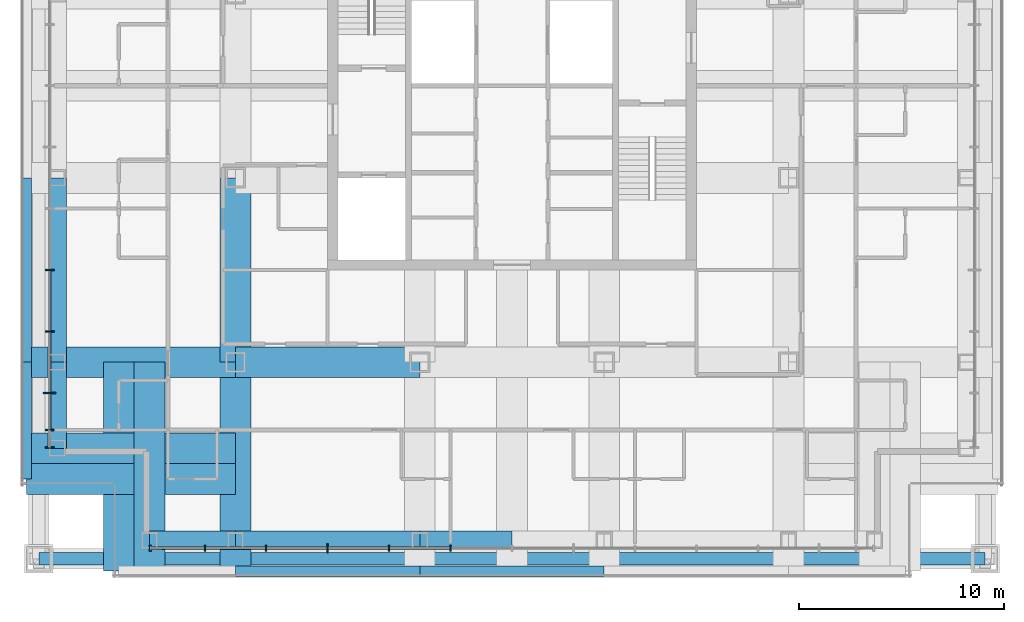
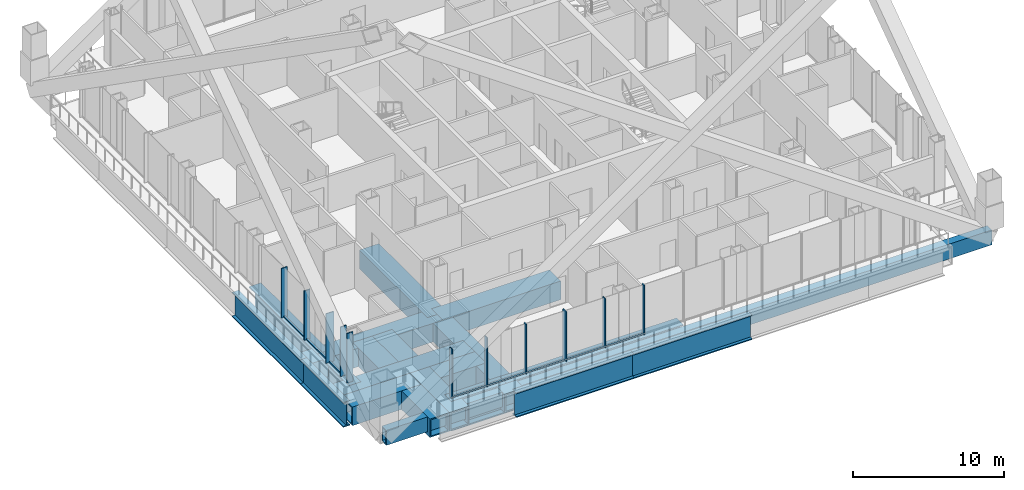
# One storey, part 2 of 18: 20 members, 17 beams, 2 elements without a shape of their own.
"""IFC4 building model written with IfcOpenShell, lengths in metres."""

from ifc_helpers import new_model, si_unit, direction, frame, origin, origin_2d, place, context, subcontext, project, spatial, rectangle, hollow_rectangle, i_section, extrude, material, layer, layer_set, material_profile, profile_set, type_object, element, aggregate, save


model = new_model("IFC4")

# Units and contexts
model_context = context("Model", 3, precision=1e-05, world=origin(), true_north=direction((0.0, 1.0)))
body_context = subcontext(model_context, "Body", "Model", "MODEL_VIEW")
ifc_project = project(units=[si_unit("LENGTHUNIT", "METRE"), si_unit("AREAUNIT", "SQUARE_METRE"), si_unit("VOLUMEUNIT", "CUBIC_METRE"), si_unit("PLANEANGLEUNIT", "RADIAN"), si_unit("MASSUNIT", "GRAM", prefix="KILO")], contexts=[model_context])

# Site, building, storey
site_placement = place(None, origin())
site = spatial("IfcSite", under=ifc_project, at=site_placement, CompositionType="ELEMENT")
building_placement = place(site_placement, origin())
building = spatial("IfcBuilding", under=site, at=building_placement, Name="Malebo Sky Hospital", CompositionType="ELEMENT")
storey_placement = place(building_placement, frame((0.0, 0.0, 177.0)))
storey = spatial("IfcBuildingStorey", under=building, at=storey_placement, Name="L42", CompositionType="ELEMENT", Elevation=177.0)

# Curtain wall, members
ifc_material_1 = material(Name="Anodised aluminium, natural silver", Category="aluminium")
ifc_layer_1 = layer(ifc_material_1, 0.25)
ifc_layer_set_1 = layer_set([ifc_layer_1], Name="WARD CURTAIN WALL EAST AND WEST")
curtain_wall_type_1 = type_object("IfcCurtainWallType", Name="WARD CURTAIN WALL EAST AND WEST", PredefinedType="NOTDEFINED", material=ifc_layer_set_1)
curtain_wall_1_placement = place(storey_placement, origin())
curtain_wall_1 = element("IfcCurtainWall", 1, at=curtain_wall_1_placement, inside=storey, type_object=curtain_wall_type_1, Name="EW curtain wall W", PredefinedType="NOTDEFINED")
ifc_material_profile_1 = material_profile(ifc_material_1, rectangle(XDim=0.14990234375, YDim=0.10009765625, at=origin_2d()), Name="ALUMINIUM TRANSOM 150x100")
ifc_profile_set_1 = profile_set([ifc_material_profile_1], Name="Anodised aluminium, natural silver")
member_type_1 = type_object("IfcMemberType", Name="ALUMINIUM TRANSOM 150x100", PredefinedType="USERDEFINED", material=ifc_profile_set_1)
member_1_placement = place(storey_placement, frame((37.425048828125, 45.237548828125, 0.050048828125), z_axis=(0.0, 1.0, 0.0), x_axis=(-1.0, 0.0, 0.0)))
member_1 = element("IfcMember", 2, at=member_1_placement, type_object=member_type_1, Name="Transom 2", ObjectType="TRANSOM", PredefinedType="USERDEFINED", context=body_context, shape_type="SweptSolid", body=[
    extrude(rectangle(XDim=0.14990234375, YDim=0.10009765625, at=origin_2d()), origin(), (0.0, 0.0, 1.0), 1.724853515625),
])
member_2_placement = place(storey_placement, frame((37.425048828125, 47.03759765625, 0.050048828125), z_axis=(0.0, 1.0, 0.0), x_axis=(-1.0, 0.0, 0.0)))
member_2 = element("IfcMember", 3, at=member_2_placement, type_object=member_type_1, Name="Transom 3", ObjectType="TRANSOM", PredefinedType="USERDEFINED", context=body_context, shape_type="SweptSolid", body=[
    extrude(rectangle(XDim=0.14990234375, YDim=0.10009765625, at=origin_2d()), origin(), (0.0, 0.0, 1.0), 2.9248046875),
])
member_3_placement = place(storey_placement, frame((37.425048828125, 50.03759765625, 0.050048828125), z_axis=(0.0, 1.0, 0.0), x_axis=(-1.0, 0.0, 0.0)))
member_3 = element("IfcMember", 4, at=member_3_placement, type_object=member_type_1, Name="Transom 4", ObjectType="TRANSOM", PredefinedType="USERDEFINED", context=body_context, shape_type="SweptSolid", body=[
    extrude(rectangle(XDim=0.14990234375, YDim=0.10009765625, at=origin_2d()), origin(), (0.0, 0.0, 1.0), 2.9248046875),
])

ifc_layer_2 = layer(ifc_material_1, 0.25)
ifc_layer_set_2 = layer_set([ifc_layer_2], Name="WARD CURTAIN WALL NORTH AND SOUTH")
curtain_wall_type_2 = type_object("IfcCurtainWallType", Name="WARD CURTAIN WALL NORTH AND SOUTH", PredefinedType="NOTDEFINED", material=ifc_layer_set_2)
curtain_wall_2_placement = place(storey_placement, origin())
curtain_wall_2 = element("IfcCurtainWall", 5, at=curtain_wall_2_placement, inside=storey, type_object=curtain_wall_type_2, Name="NS curtain wall S", PredefinedType="NOTDEFINED")
member_4_placement = place(storey_placement, frame((56.96240234375, 39.425048828125, 0.050048828125), z_axis=(-1.0, 0.0, 0.0), x_axis=(0.0, -1.0, 0.0)))
member_4 = element("IfcMember", 6, at=member_4_placement, type_object=member_type_1, Name="Transom 9", ObjectType="TRANSOM", PredefinedType="USERDEFINED", context=body_context, shape_type="SweptSolid", body=[
    extrude(rectangle(XDim=0.14990234375, YDim=0.10009765625, at=origin_2d()), origin(), (0.0, 0.0, 1.0), 2.9248046875),
])
member_5_placement = place(storey_placement, frame((53.96240234375, 39.425048828125, 0.050048828125), z_axis=(-1.0, 0.0, 0.0), x_axis=(0.0, -1.0, 0.0)))
member_5 = element("IfcMember", 7, at=member_5_placement, type_object=member_type_1, Name="Transom 10", ObjectType="TRANSOM", PredefinedType="USERDEFINED", context=body_context, shape_type="SweptSolid", body=[
    extrude(rectangle(XDim=0.14990234375, YDim=0.10009765625, at=origin_2d()), origin(), (0.0, 0.0, 1.0), 2.9248046875),
])
member_6_placement = place(storey_placement, frame((50.96240234375, 39.425048828125, 0.050048828125), z_axis=(-1.0, 0.0, 0.0), x_axis=(0.0, -1.0, 0.0)))
member_6 = element("IfcMember", 8, at=member_6_placement, type_object=member_type_1, Name="Transom 11", ObjectType="TRANSOM", PredefinedType="USERDEFINED", context=body_context, shape_type="SweptSolid", body=[
    extrude(rectangle(XDim=0.14990234375, YDim=0.10009765625, at=origin_2d()), origin(), (0.0, 0.0, 1.0), 2.9248046875),
])
member_7_placement = place(storey_placement, frame((47.96240234375, 39.425048828125, 0.050048828125), z_axis=(-1.0, 0.0, 0.0), x_axis=(0.0, -1.0, 0.0)))
member_7 = element("IfcMember", 9, at=member_7_placement, type_object=member_type_1, Name="Transom 12", ObjectType="TRANSOM", PredefinedType="USERDEFINED", context=body_context, shape_type="SweptSolid", body=[
    extrude(rectangle(XDim=0.14990234375, YDim=0.10009765625, at=origin_2d()), origin(), (0.0, 0.0, 1.0), 2.9248046875),
])
member_8_placement = place(storey_placement, frame((44.96240234375, 39.425048828125, 0.050048828125), z_axis=(-1.0, 0.0, 0.0), x_axis=(0.0, -1.0, 0.0)))
member_8 = element("IfcMember", 10, at=member_8_placement, type_object=member_type_1, Name="Transom 13", ObjectType="TRANSOM", PredefinedType="USERDEFINED", context=body_context, shape_type="SweptSolid", body=[
    extrude(rectangle(XDim=0.14990234375, YDim=0.10009765625, at=origin_2d()), origin(), (0.0, 0.0, 1.0), 2.58740234375),
])
ifc_material_profile_2 = material_profile(ifc_material_1, rectangle(XDim=0.074951171875, YDim=0.300048828125, at=origin_2d()), Name="CW1 ALUMINIUM FIN MULLION 75x300")
ifc_profile_set_2 = profile_set([ifc_material_profile_2], Name="Anodised aluminium, natural silver")
member_type_2 = type_object("IfcMemberType", Name="CW1 ALUMINIUM FIN MULLION 75x300", PredefinedType="MULLION", material=ifc_profile_set_2)
member_9_placement = place(storey_placement, frame((57.0, 39.425048828125, 0.0), z_axis=(0.0, 0.0, 1.0), x_axis=(-1.0, 0.0, 0.0)))
member_9 = element("IfcMember", 11, at=member_9_placement, type_object=member_type_2, Name="Fin mullion 9", PredefinedType="MULLION", context=body_context, shape_type="SweptSolid", body=[
    extrude(rectangle(XDim=0.074951171875, YDim=0.300048828125, at=origin_2d()), origin(), (0.0, 0.0, 1.0), 4.0),
])
member_10_placement = place(storey_placement, frame((54.0, 39.425048828125, 0.0), z_axis=(0.0, 0.0, 1.0), x_axis=(-1.0, 0.0, 0.0)))
member_10 = element("IfcMember", 12, at=member_10_placement, type_object=member_type_2, Name="Fin mullion 10", PredefinedType="MULLION", context=body_context, shape_type="SweptSolid", body=[
    extrude(rectangle(XDim=0.074951171875, YDim=0.300048828125, at=origin_2d()), origin(), (0.0, 0.0, 1.0), 4.0),
])
member_11_placement = place(storey_placement, frame((48.0, 39.425048828125, 0.0), z_axis=(0.0, 0.0, 1.0), x_axis=(-1.0, 0.0, 0.0)))
member_11 = element("IfcMember", 13, at=member_11_placement, type_object=member_type_2, Name="Fin mullion 12", PredefinedType="MULLION", context=body_context, shape_type="SweptSolid", body=[
    extrude(rectangle(XDim=0.074951171875, YDim=0.300048828125, at=origin_2d()), origin(), (0.0, 0.0, 1.0), 4.0),
])
member_12_placement = place(storey_placement, frame((45.0, 39.425048828125, 0.0), z_axis=(0.0, 0.0, 1.0), x_axis=(-1.0, 0.0, 0.0)))
member_12 = element("IfcMember", 14, at=member_12_placement, type_object=member_type_2, Name="Fin mullion 13", PredefinedType="MULLION", context=body_context, shape_type="SweptSolid", body=[
    extrude(rectangle(XDim=0.074951171875, YDim=0.300048828125, at=origin_2d()), origin(), (0.0, 0.0, 1.0), 4.0),
])
member_13_placement = place(storey_placement, frame((42.33740234375, 39.425048828125, 0.0), z_axis=(0.0, 0.0, 1.0), x_axis=(-1.0, 0.0, 0.0)))
member_13 = element("IfcMember", 15, at=member_13_placement, type_object=member_type_2, Name="Fin mullion 14", PredefinedType="MULLION", context=body_context, shape_type="SweptSolid", body=[
    extrude(rectangle(XDim=0.074951171875, YDim=0.300048828125, at=origin_2d()), origin(), (0.0, 0.0, 1.0), 4.0),
])
ifc_material_profile_3 = material_profile(ifc_material_1, rectangle(XDim=0.074951171875, YDim=0.449951171875, at=origin_2d()), Name="CW1 ALUMINIUM FIN MULLION 75x450")
ifc_profile_set_3 = profile_set([ifc_material_profile_3], Name="Anodised aluminium, natural silver")
member_type_3 = type_object("IfcMemberType", Name="CW1 ALUMINIUM FIN MULLION 75x450", PredefinedType="MULLION", material=ifc_profile_set_3)
member_14_placement = place(storey_placement, frame((51.0, 39.425048828125, 0.0), z_axis=(0.0, 0.0, 1.0), x_axis=(-1.0, 0.0, 0.0)))
member_14 = element("IfcMember", 16, at=member_14_placement, type_object=member_type_3, Name="Fin mullion 11", PredefinedType="MULLION", context=body_context, shape_type="SweptSolid", body=[
    extrude(rectangle(XDim=0.074951171875, YDim=0.449951171875, at=origin_2d()), origin(), (0.0, 0.0, 1.0), 4.0),
])
aggregate(curtain_wall_2, [member_9, member_10, member_14, member_11, member_12, member_13, member_4, member_5, member_6, member_7, member_8])

# Member
ifc_material_profile_4 = material_profile(ifc_material_1, rectangle(XDim=0.074951171875, YDim=0.449951171875, at=origin_2d()), Name="CW2 ALUMINIUM FIN MULLION 75x450")
ifc_profile_set_4 = profile_set([ifc_material_profile_4], Name="Anodised aluminium, natural silver")
member_type_4 = type_object("IfcMemberType", Name="CW2 ALUMINIUM FIN MULLION 75x450", PredefinedType="MULLION", material=ifc_profile_set_4)
member_15_placement = place(storey_placement, frame((37.425048828125, 44.33740234375, 0.0), z_axis=(0.0, 0.0, 1.0), x_axis=(0.0, 1.0, 0.0)))
member_15 = element("IfcMember", 17, at=member_15_placement, type_object=member_type_4, Name="Fin mullion 1", PredefinedType="MULLION", context=body_context, shape_type="SweptSolid", body=[
    extrude(rectangle(XDim=0.074951171875, YDim=0.449951171875, at=origin_2d()), origin(), (0.0, 0.0, 1.0), 4.0),
])

member_16_placement = place(storey_placement, frame((37.425048828125, 45.199951171875, 0.0), z_axis=(0.0, 0.0, 1.0), x_axis=(0.0, 1.0, 0.0)))
member_16 = element("IfcMember", 18, at=member_16_placement, type_object=member_type_4, Name="Fin mullion 2", PredefinedType="MULLION", context=body_context, shape_type="SweptSolid", body=[
    extrude(rectangle(XDim=0.074951171875, YDim=0.449951171875, at=origin_2d()), origin(), (0.0, 0.0, 1.0), 4.0),
])

member_17_placement = place(storey_placement, frame((37.425048828125, 50.0, 0.0), z_axis=(0.0, 0.0, 1.0), x_axis=(0.0, 1.0, 0.0)))
member_17 = element("IfcMember", 19, at=member_17_placement, type_object=member_type_4, Name="Fin mullion 4", PredefinedType="MULLION", context=body_context, shape_type="SweptSolid", body=[
    extrude(rectangle(XDim=0.074951171875, YDim=0.449951171875, at=origin_2d()), origin(), (0.0, 0.0, 1.0), 4.0),
])

member_18_placement = place(storey_placement, frame((37.425048828125, 53.0, 0.0), z_axis=(0.0, 0.0, 1.0), x_axis=(0.0, 1.0, 0.0)))
member_18 = element("IfcMember", 20, at=member_18_placement, type_object=member_type_4, Name="Fin mullion 5", PredefinedType="MULLION", context=body_context, shape_type="SweptSolid", body=[
    extrude(rectangle(XDim=0.074951171875, YDim=0.449951171875, at=origin_2d()), origin(), (0.0, 0.0, 1.0), 4.0),
])

ifc_material_profile_5 = material_profile(ifc_material_1, rectangle(XDim=0.074951171875, YDim=0.60009765625, at=origin_2d()), Name="CW2 ALUMINIUM FIN MULLION 75x600")
ifc_profile_set_5 = profile_set([ifc_material_profile_5], Name="Anodised aluminium, natural silver")
member_type_5 = type_object("IfcMemberType", Name="CW2 ALUMINIUM FIN MULLION 75x600", PredefinedType="MULLION", material=ifc_profile_set_5)
member_19_placement = place(storey_placement, frame((37.425048828125, 47.0, 0.0), z_axis=(0.0, 0.0, 1.0), x_axis=(0.0, 1.0, 0.0)))
member_19 = element("IfcMember", 21, at=member_19_placement, type_object=member_type_5, Name="Fin mullion 3", PredefinedType="MULLION", context=body_context, shape_type="SweptSolid", body=[
    extrude(rectangle(XDim=0.074951171875, YDim=0.60009765625, at=origin_2d()), origin(), (0.0, 0.0, 1.0), 4.0),
])

aggregate(curtain_wall_1, [member_15, member_16, member_19, member_17, member_18, member_1, member_2, member_3])

ifc_material_2 = material(Name="Steel S460", Category="steel")
ifc_material_profile_6 = material_profile(ifc_material_2, hollow_rectangle(XDim=0.60009765625, YDim=1.199951171875, WallThickness=0.080078125, at=origin_2d()), Name="BOX 1200x600x80")
ifc_profile_set_6 = profile_set([ifc_material_profile_6], Name="Steel S460")
member_type_6 = type_object("IfcMemberType", Name="MEGA TIE BOX 1200x600x80", PredefinedType="CHORD", material=ifc_profile_set_6)
member_20_placement = place(storey_placement, frame((36.89990234375, 38.89990234375, -0.85009765625), z_axis=(1.0, 0.0, 0.0), x_axis=(0.0, 1.0, 0.0)))
element("IfcMember", 22, at=member_20_placement, inside=storey, type_object=member_type_6, Name="Mega tie CS L42", PredefinedType="CHORD", context=body_context, shape_type="SweptSolid", body=[
    extrude(hollow_rectangle(XDim=0.60009765625, YDim=1.199951171875, WallThickness=0.080078125, at=origin_2d()), origin(), (0.0, 0.0, 1.0), 46.2001953125),
])

# Beams
ifc_material_profile_7 = material_profile(ifc_material_2, hollow_rectangle(XDim=1.5, YDim=1.5, WallThickness=0.10009765625, at=origin_2d()), Name="BOX 1500x1500x100")
ifc_profile_set_7 = profile_set([ifc_material_profile_7], Name="Steel S460")
beam_type_1 = type_object("IfcBeamType", Name="TRANSFER GIRDER BOX 1500x1500x100", PredefinedType="BEAM", material=ifc_profile_set_7)
beam_1_placement = place(storey_placement, frame((46.5, 38.300048828125, -1.0), z_axis=(0.0, 1.0, 0.0), x_axis=(-1.0, 0.0, 0.0)))
element("IfcBeam", 23, at=beam_1_placement, inside=storey, type_object=beam_type_1, Name="Beam 010 L42", PredefinedType="BEAM", context=body_context, shape_type="SweptSolid", body=[
    extrude(hollow_rectangle(XDim=1.5, YDim=1.5, WallThickness=0.10009765625, at=origin_2d()), origin(), (0.0, 0.0, 1.0), 10.199951171875),
])
beam_2_placement = place(storey_placement, frame((46.5, 48.5, -1.0), z_axis=(0.0, 1.0, 0.0), x_axis=(-1.0, 0.0, 0.0)))
element("IfcBeam", 24, at=beam_2_placement, inside=storey, type_object=beam_type_1, Name="Beam 011 L42", PredefinedType="BEAM", context=body_context, shape_type="SweptSolid", body=[
    extrude(hollow_rectangle(XDim=1.5, YDim=1.5, WallThickness=0.10009765625, at=origin_2d()), origin(), (0.0, 0.0, 1.0), 9.0),
])
beam_3_placement = place(storey_placement, frame((36.300048828125, 48.5, -1.0), z_axis=(1.0, 0.0, 0.0), x_axis=(0.0, 1.0, 0.0)))
element("IfcBeam", 25, at=beam_3_placement, inside=storey, type_object=beam_type_1, Name="Beam 050 L42", PredefinedType="BEAM", context=body_context, shape_type="SweptSolid", body=[
    extrude(hollow_rectangle(XDim=1.5, YDim=1.5, WallThickness=0.10009765625, at=origin_2d()), origin(), (0.0, 0.0, 1.0), 10.199951171875),
])
beam_4_placement = place(storey_placement, frame((46.5, 48.5, -1.0), z_axis=(1.0, 0.0, 0.0), x_axis=(0.0, 1.0, 0.0)))
element("IfcBeam", 26, at=beam_4_placement, inside=storey, type_object=beam_type_1, Name="Beam 051 L42", PredefinedType="BEAM", context=body_context, shape_type="SweptSolid", body=[
    extrude(hollow_rectangle(XDim=1.5, YDim=1.5, WallThickness=0.10009765625, at=origin_2d()), origin(), (0.0, 0.0, 1.0), 9.0),
])
for number, where, z_axis, x_axis, name in (
    (27, (40.800048828125, 38.300048828125, -1.0), (0.0, 1.0, 0.0), (-1.0, 0.0, 0.0), "Beam 006 L42"),
    (28, (42.300048828125, 38.300048828125, -1.0), (0.0, 1.0, 0.0), (-1.0, 0.0, 0.0), "Beam 008 L42"),
    (29, (36.300048828125, 42.800048828125, -1.0), (1.0, 0.0, 0.0), (0.0, 1.0, 0.0), "Beam 046 L42"),
    (30, (36.300048828125, 44.300048828125, -1.0), (1.0, 0.0, 0.0), (0.0, 1.0, 0.0), "Beam 048 L42"),
):
    element("IfcBeam", number, at=place(storey_placement, frame(where, z_axis=z_axis, x_axis=x_axis)), inside=storey, type_object=beam_type_1, Name=name, PredefinedType="BEAM", context=body_context, shape_type="SweptSolid", body=[
        extrude(hollow_rectangle(XDim=1.5, YDim=1.5, WallThickness=0.10009765625, at=origin_2d()), origin(), (0.0, 0.0, 1.0), 10.199951171875),
    ])
ifc_material_3 = material(Name="Steel S355", Category="steel")
ifc_material_profile_8 = material_profile(ifc_material_3, i_section(OverallWidth=0.5, OverallDepth=2.0, WebThickness=0.0400390625, FlangeThickness=0.080078125, at=origin_2d()), Name="PG 2000x500x40x80")
ifc_profile_set_8 = profile_set([ifc_material_profile_8], Name="Steel S355")
beam_type_2 = type_object("IfcBeamType", Name="TRANSFER GIRDER PG 2000x500x40x80", PredefinedType="BEAM", material=ifc_profile_set_8)
beam_5_placement = place(storey_placement, frame((36.300048828125, 42.800048828125, -1.25), z_axis=(0.0, 1.0, 0.0), x_axis=(-1.0, 0.0, 0.0)))
element("IfcBeam", 31, at=beam_5_placement, inside=storey, type_object=beam_type_2, Name="Beam 000 L42", PredefinedType="BEAM", context=body_context, shape_type="SweptSolid", body=[
    extrude(i_section(OverallWidth=0.5, OverallDepth=2.0, WebThickness=0.0400390625, FlangeThickness=0.080078125, at=origin_2d()), origin(), (0.0, 0.0, 1.0), 5.699951171875),
])
for number, where, z_axis, x_axis, name in (
    (32, (36.300048828125, 48.5, -1.25), (0.0, 1.0, 0.0), (-1.0, 0.0, 0.0), "Beam 001 L42"),
    (33, (46.5, 38.300048828125, -1.25), (1.0, 0.0, 0.0), (0.0, 1.0, 0.0), "Beam 041 L42"),
    (34, (55.5, 38.300048828125, -1.25), (1.0, 0.0, 0.0), (0.0, 1.0, 0.0), "Beam 042 L42"),
):
    element("IfcBeam", number, at=place(storey_placement, frame(where, z_axis=z_axis, x_axis=x_axis)), inside=storey, type_object=beam_type_2, Name=name, PredefinedType="BEAM", context=body_context, shape_type="SweptSolid", body=[
        extrude(i_section(OverallWidth=0.5, OverallDepth=2.0, WebThickness=0.0400390625, FlangeThickness=0.080078125, at=origin_2d()), origin(), (0.0, 0.0, 1.0), 9.0),
    ])
ifc_material_profile_9 = material_profile(ifc_material_3, i_section(OverallWidth=0.89990234375, OverallDepth=2.39990234375, WebThickness=0.050048828125, FlangeThickness=0.10009765625, at=origin_2d()), Name="PG 2400x900x50x100")
ifc_profile_set_9 = profile_set([ifc_material_profile_9], Name="Steel S355")
beam_type_3 = type_object("IfcBeamType", Name="TRANSFER GIRDER PG 2400x900x50x100", PredefinedType="BEAM", material=ifc_profile_set_9)
beam_6_placement = place(storey_placement, frame((37.800048828125, 44.300048828125, -1.449951171875), z_axis=(0.0, 1.0, 0.0), x_axis=(-1.0, 0.0, 0.0)))
element("IfcBeam", 35, at=beam_6_placement, inside=storey, type_object=beam_type_3, Name="Beam 005 L42", PredefinedType="BEAM", context=body_context, shape_type="SweptSolid", body=[
    extrude(i_section(OverallWidth=0.89990234375, OverallDepth=2.39990234375, WebThickness=0.050048828125, FlangeThickness=0.10009765625, at=origin_2d()), origin(), (0.0, 0.0, 1.0), 4.199951171875),
])
beam_7_placement = place(storey_placement, frame((37.800048828125, 48.5, -1.449951171875), z_axis=(0.0, 1.0, 0.0), x_axis=(-1.0, 0.0, 0.0)))
element("IfcBeam", 36, at=beam_7_placement, inside=storey, type_object=beam_type_3, Name="Beam 005b L42", PredefinedType="BEAM", context=body_context, shape_type="SweptSolid", body=[
    extrude(i_section(OverallWidth=0.89990234375, OverallDepth=2.39990234375, WebThickness=0.050048828125, FlangeThickness=0.10009765625, at=origin_2d()), origin(), (0.0, 0.0, 1.0), 9.0),
])
beam_8_placement = place(storey_placement, frame((42.300048828125, 39.800048828125, -1.449951171875), z_axis=(1.0, 0.0, 0.0), x_axis=(0.0, 1.0, 0.0)))
element("IfcBeam", 37, at=beam_8_placement, inside=storey, type_object=beam_type_3, Name="Beam 045 L42", PredefinedType="BEAM", context=body_context, shape_type="SweptSolid", body=[
    extrude(i_section(OverallWidth=0.89990234375, OverallDepth=2.39990234375, WebThickness=0.050048828125, FlangeThickness=0.10009765625, at=origin_2d()), origin(), (0.0, 0.0, 1.0), 4.199951171875),
])
beam_9_placement = place(storey_placement, frame((46.5, 39.800048828125, -1.449951171875), z_axis=(1.0, 0.0, 0.0), x_axis=(0.0, 1.0, 0.0)))
element("IfcBeam", 38, at=beam_9_placement, inside=storey, type_object=beam_type_3, Name="Beam 045b L42", PredefinedType="BEAM", context=body_context, shape_type="SweptSolid", body=[
    extrude(i_section(OverallWidth=0.89990234375, OverallDepth=2.39990234375, WebThickness=0.050048828125, FlangeThickness=0.10009765625, at=origin_2d()), origin(), (0.0, 0.0, 1.0), 9.0),
])
beam_10_placement = place(storey_placement, frame((55.5, 39.800048828125, -1.449951171875), z_axis=(1.0, 0.0, 0.0), x_axis=(0.0, 1.0, 0.0)))
element("IfcBeam", 39, at=beam_10_placement, inside=storey, type_object=beam_type_3, Name="Beam 045c L42", PredefinedType="BEAM", context=body_context, shape_type="SweptSolid", body=[
    extrude(i_section(OverallWidth=0.89990234375, OverallDepth=2.39990234375, WebThickness=0.050048828125, FlangeThickness=0.10009765625, at=origin_2d()), origin(), (0.0, 0.0, 1.0), 4.5),
])

save(model, "model.ifc")
